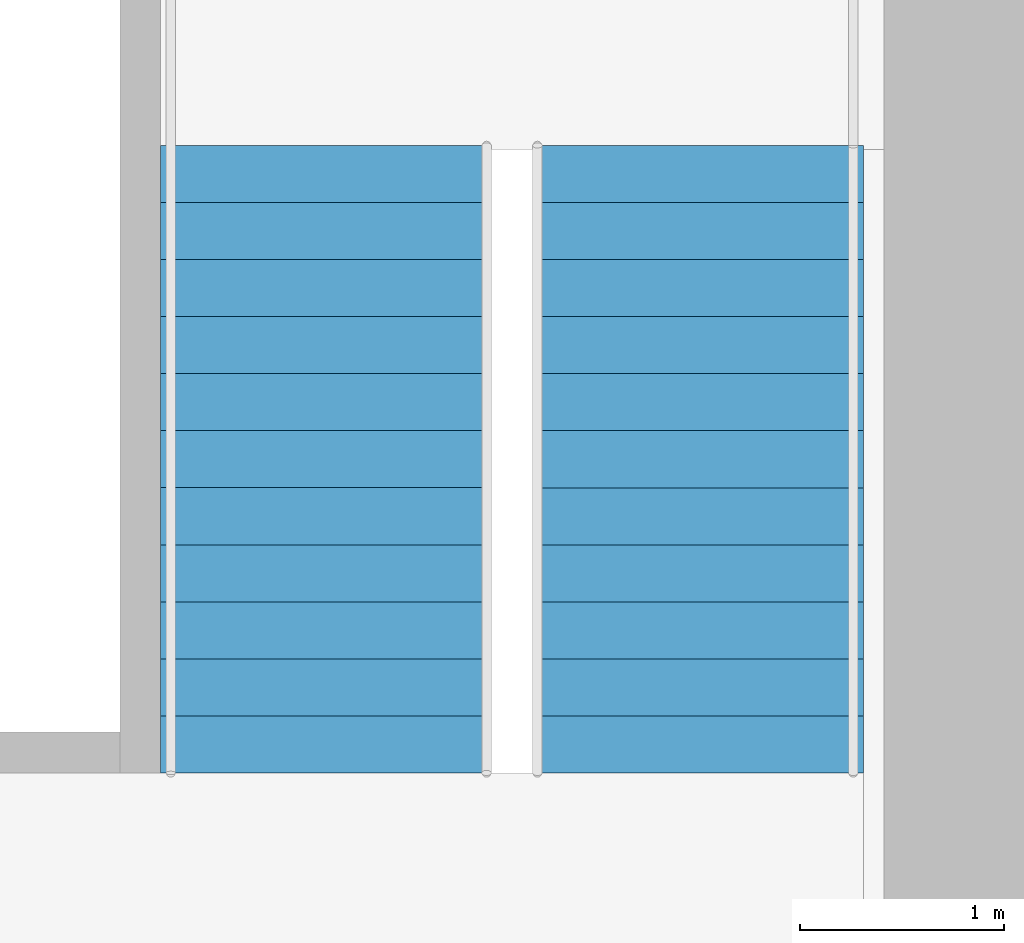
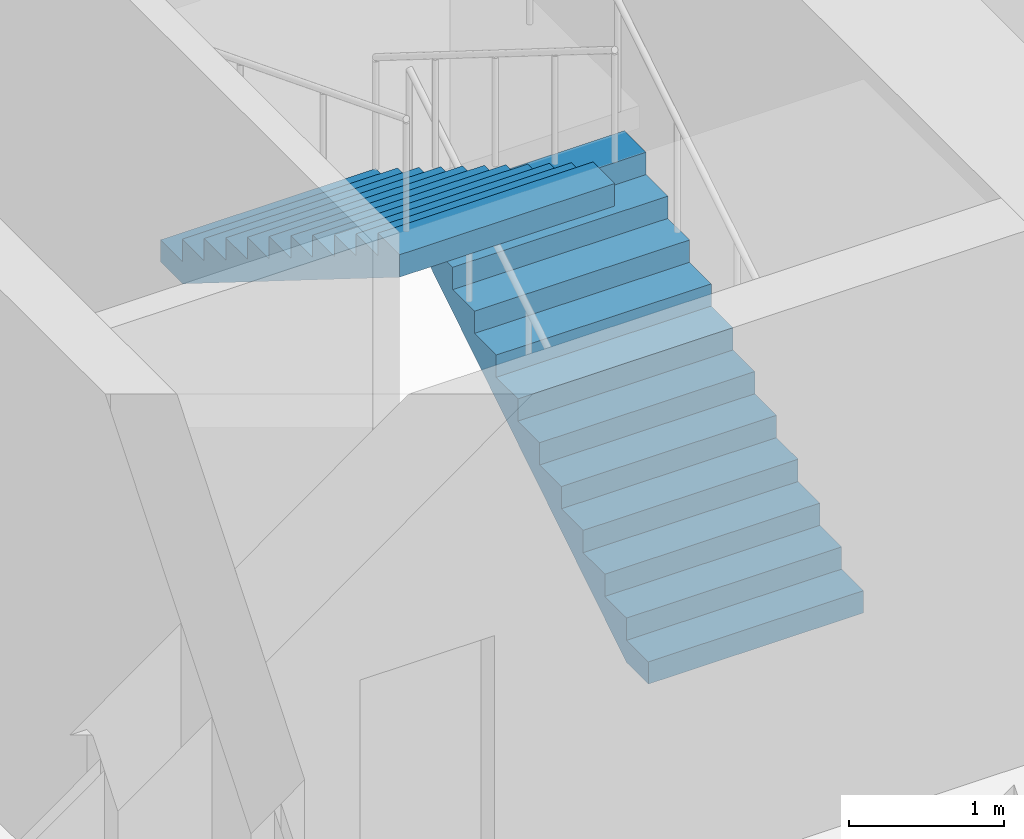
# One storey, part 11 of 12: 2 stair flights, 1 element without a shape of its own.
"""IFC4 building model written with IfcOpenShell, lengths in metres."""

from ifc_helpers import new_model, si_unit, direction, frame, origin, place, context, subcontext, project, spatial, polyline, outline, extrude, material, type_object, element, aggregate, save


model = new_model("IFC4")

# Units and contexts
model_context = context("Model", 3, precision=1e-05, world=origin(), true_north=direction((0.0, 1.0)))
body_context = subcontext(model_context, "Body", "Model", "MODEL_VIEW")
ifc_project = project(units=[si_unit("LENGTHUNIT", "METRE"), si_unit("AREAUNIT", "SQUARE_METRE"), si_unit("VOLUMEUNIT", "CUBIC_METRE"), si_unit("PLANEANGLEUNIT", "RADIAN"), si_unit("MASSUNIT", "GRAM", prefix="KILO")], contexts=[model_context])

# Site, building, storey
site_placement = place(None, origin())
site = spatial("IfcSite", under=ifc_project, at=site_placement, CompositionType="ELEMENT")
building_placement = place(site_placement, origin())
building = spatial("IfcBuilding", under=site, at=building_placement, Name="Ghaith Harvest Tower", CompositionType="ELEMENT")
storey_placement = place(building_placement, frame((0.0, 0.0, 304.800048828125)))
storey = spatial("IfcBuildingStorey", under=building, at=storey_placement, Name="L68", CompositionType="ELEMENT", Elevation=304.800048828125)

# Stair, stair flights
ifc_material_1 = material(Name="Concrete C40/50, precast", Category="concrete")
stair_type = type_object("IfcStairType", Name="CORE STAIR 24R", PredefinedType="HALF_TURN_STAIR", material=ifc_material_1)
stair_placement = place(storey_placement, origin())
stair = element("IfcStair", 1, at=stair_placement, inside=storey, type_object=stair_type, Name="Stair ST2 L68", PredefinedType="HALF_TURN_STAIR")
ifc_material_2 = material(Name="Concrete C40/50, precast", Category="concrete")
stair_flight_type = type_object("IfcStairFlightType", Name="CORE FLIGHT 12R 1600", PredefinedType="STRAIGHT", material=ifc_material_2)
stair_flight_1_placement = place(storey_placement, frame((12.0, 3.39990234375, 0.0), z_axis=(0.0, 0.0, 1.0), x_axis=(0.0, 1.0, 0.0)))
stair_flight_1 = element("IfcStairFlight", 2, at=stair_flight_1_placement, type_object=stair_flight_type, Name="ST2 flight 1", NumberOfRisers=12, NumberOfTreads=11, PredefinedType="STRAIGHT", RiserHeight=0.175, TreadLength=0.28, context=body_context, shape_type="SweptSolid", body=[
    extrude(outline(polyline([(0.0, 0.0), (0.0, 0.175048828125), (0.280029296875, 0.175048828125), (0.280029296875, 0.35009765625), (0.56005859375, 0.35009765625), (0.56005859375, 0.52490234375), (0.840087890625, 0.52490234375), (0.840087890625, 0.699951171875), (1.1201171875, 0.699951171875), (1.1201171875, 0.875), (1.39990234375, 0.875), (1.39990234375, 1.050048828125), (1.679931640625, 1.050048828125), (1.679931640625, 1.22509765625), (1.9599609375, 1.22509765625), (1.9599609375, 1.39990234375), (2.239990234375, 1.39990234375), (2.239990234375, 1.574951171875), (2.52001953125, 1.574951171875), (2.52001953125, 1.75), (2.800048828125, 1.75), (2.800048828125, 1.925048828125), (3.080078125, 1.925048828125), (3.080078125, 2.10009765625), (3.080078125, 1.748291015625), (0.28271484375, 0.0), (0.0, 0.0)])), frame((0.0, 0.800048828125, 0.0), z_axis=(0.0, -1.0, 0.0), x_axis=(1.0, 0.0, 0.0)), (0.0, 0.0, 1.0), 1.60009765625),
])
stair_flight_2_placement = place(storey_placement, frame((10.14990234375, 6.47998046875, 2.099853515625), z_axis=(0.0, 0.0, 1.0), x_axis=(0.0, -1.0, 0.0)))
stair_flight_2 = element("IfcStairFlight", 3, at=stair_flight_2_placement, type_object=stair_flight_type, Name="ST2 flight 2", NumberOfRisers=12, NumberOfTreads=11, PredefinedType="STRAIGHT", RiserHeight=0.175, TreadLength=0.28, context=body_context, shape_type="SweptSolid", body=[
    extrude(outline(polyline([(0.0, 0.0), (0.0, 0.175048828125), (0.280029296875, 0.175048828125), (0.280029296875, 0.35009765625), (0.56005859375, 0.35009765625), (0.56005859375, 0.52490234375), (0.840087890625, 0.52490234375), (0.840087890625, 0.699951171875), (1.1201171875, 0.699951171875), (1.1201171875, 0.875), (1.39990234375, 0.875), (1.39990234375, 1.050048828125), (1.679931640625, 1.050048828125), (1.679931640625, 1.22509765625), (1.9599609375, 1.22509765625), (1.9599609375, 1.39990234375), (2.239990234375, 1.39990234375), (2.239990234375, 1.574951171875), (2.52001953125, 1.574951171875), (2.52001953125, 1.75), (2.800048828125, 1.75), (2.800048828125, 1.925048828125), (3.080078125, 1.925048828125), (3.080078125, 2.10009765625), (3.080078125, 1.748291015625), (0.28271484375, 0.0), (0.0, 0.0)])), frame((0.0, 0.800048828125, 0.0), z_axis=(0.0, -1.0, 0.0), x_axis=(1.0, 0.0, 0.0)), (0.0, 0.0, 1.0), 1.60009765625),
])
aggregate(stair, [stair_flight_1, stair_flight_2])

save(model, "model.ifc")
